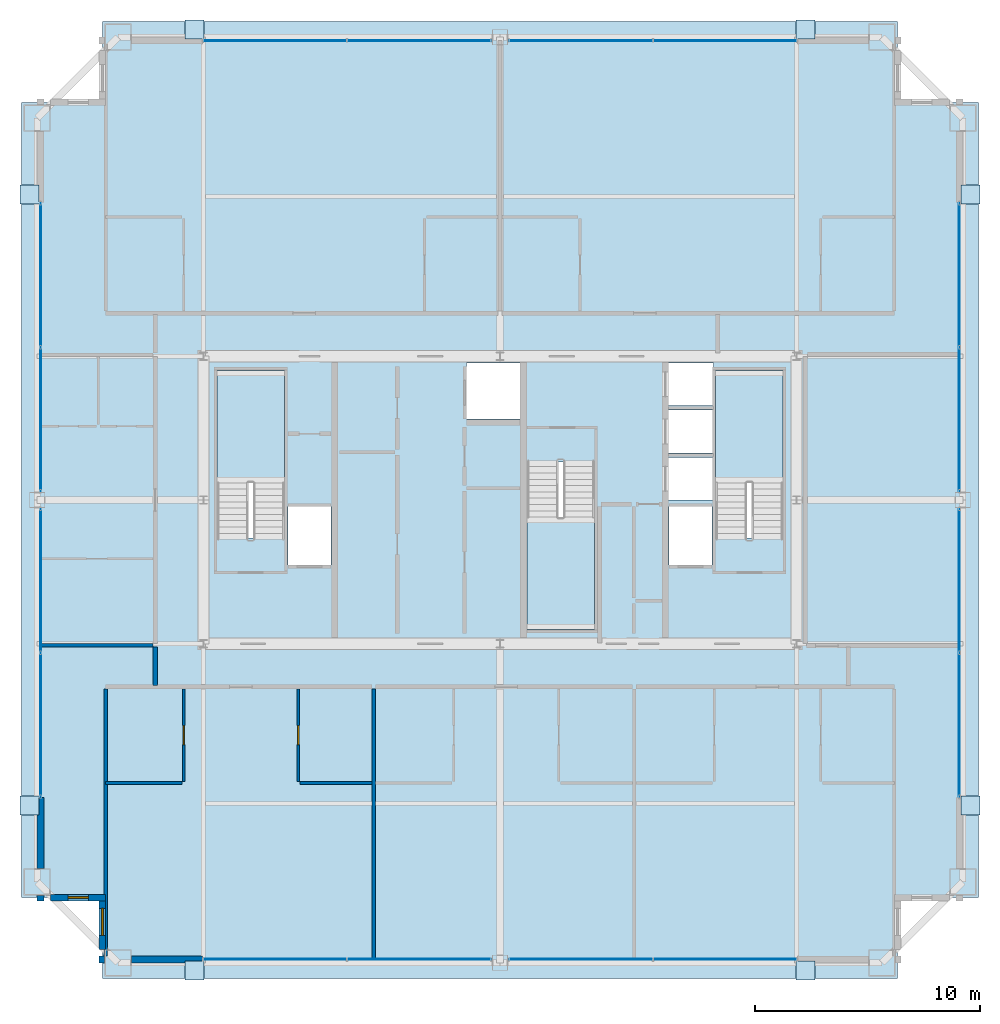
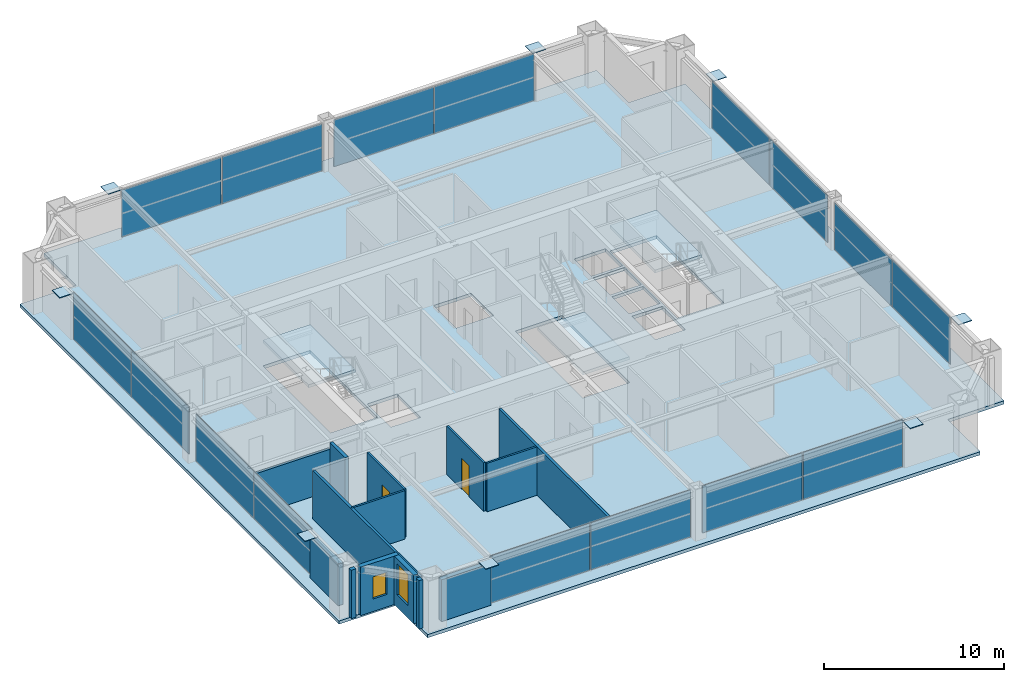
# One storey, part 32 of 37: 24 plates, 14 walls, 4 slabs, 2 doors, 2 windows, 4 openings, 11 elements without a shape of their own.
"""IFC4 building model written with IfcOpenShell, lengths in metres."""

import ifcopenshell
import ifcopenshell.guid

model = None  # the IFC model being written
_history = None  # IfcOwnerHistory: only IFC2X3 demands one
_inside = {}  # id of a spatial element -> (the spatial element, [elements in it])
_under = {}  # id of a project, library or spatial element -> (it, [spatial elements below it])
_declared = {}  # id of a project -> (the project, [libraries it declares])
_typed = {}  # id of a type object -> (the type object, [elements of that type])
_made_of = {}  # id of a material, layer set ... -> (it, [elements and type objects made of it])


def new_model(schema):
    """Start an empty IFC model of exactly this schema.

    Asked for "IFC4X3", IfcOpenShell would pick the latest addendum, in which some entities
    have other attributes; the version numbers below select the first issue.
    IFC2X3 requires an IfcOwnerHistory on every rooted entity: one is made here for all.
    """
    global model, _history
    if schema == "IFC4X3":
        model = ifcopenshell.file(schema_version=(4, 3, 0, 0))
    else:
        model = ifcopenshell.file(schema=schema)
    _inside.clear()
    _under.clear()
    _declared.clear()
    _typed.clear()
    _made_of.clear()
    _history = None
    if model.schema == "IFC2X3":
        org = make("IfcOrganization", Name="unknown")
        user = make(
            "IfcPersonAndOrganization",
            ThePerson=make("IfcPerson", FamilyName="unknown"),
            TheOrganization=org,
        )
        app = make(
            "IfcApplication",
            ApplicationDeveloper=org,
            Version="unknown",
            ApplicationFullName="unknown",
            ApplicationIdentifier="unknown",
        )
        _history = make(
            "IfcOwnerHistory",
            OwningUser=user,
            OwningApplication=app,
            ChangeAction="ADDED",
            CreationDate=0,
        )
    return model


def make(cls, **values):
    """One entity of the class cls with the attributes given. An attribute that is None is left unset."""
    return model.create_entity(
        cls, **{name: value for name, value in values.items() if value is not None}
    )


def rooted(cls, **values):
    """An entity with a GlobalId (a new one), such as an element, a storey or a relation."""
    return make(cls, GlobalId=ifcopenshell.guid.new(), OwnerHistory=_history, **values)


def si_unit(unit_type, name, prefix=None):
    """IfcSIUnit, for example si_unit("LENGTHUNIT", "METRE", prefix="MILLI")."""
    return make("IfcSIUnit", UnitType=unit_type, Prefix=prefix, Name=name)


def assignment(units):
    """IfcUnitAssignment: the units of a project."""
    return None if units is None else make("IfcUnitAssignment", Units=units)


def point(xyz):
    """IfcCartesianPoint."""
    return None if xyz is None else make("IfcCartesianPoint", Coordinates=xyz)


def direction(xyz):
    """IfcDirection."""
    return None if xyz is None else make("IfcDirection", DirectionRatios=xyz)


def frame(location, z_axis=None, x_axis=None):
    """IfcAxis2Placement3D, a coordinate frame: its origin and axes. An axis left out is left unset."""
    return make(
        "IfcAxis2Placement3D",
        Location=point(location),
        Axis=direction(z_axis),
        RefDirection=direction(x_axis),
    )


def frame_2d(location, x_axis=None):
    """IfcAxis2Placement2D, a coordinate frame in the plane: its origin and x axis."""
    return make(
        "IfcAxis2Placement2D", Location=point(location), RefDirection=direction(x_axis)
    )


def origin():
    """The frame at (0, 0, 0) with its axes left unset."""
    return frame((0.0, 0.0, 0.0))


def origin_2d():
    """The frame at (0, 0) in the plane with its x axis left unset."""
    return frame_2d((0.0, 0.0))


def place(relative_to, where):
    """IfcLocalPlacement: puts the frame where relative to a parent placement (None: the world)."""
    return make(
        "IfcLocalPlacement", PlacementRelTo=relative_to, RelativePlacement=where
    )


def context(
    kind, dimensions, precision=None, world=None, true_north=None, identifier=None
):
    """IfcGeometricRepresentationContext, for example the 3D "Model" context."""
    return make(
        "IfcGeometricRepresentationContext",
        ContextIdentifier=identifier,
        ContextType=kind,
        CoordinateSpaceDimension=dimensions,
        Precision=precision,
        WorldCoordinateSystem=world,
        TrueNorth=true_north,
    )


def subcontext(parent, identifier, kind, view, scale=None):
    """IfcGeometricRepresentationSubContext, for example "Body" below "Model"."""
    return make(
        "IfcGeometricRepresentationSubContext",
        ContextIdentifier=identifier,
        ContextType=kind,
        ParentContext=parent,
        TargetScale=scale,
        TargetView=view,
    )


def project(units=None, contexts=None):
    """IfcProject with its units and contexts."""
    return rooted(
        "IfcProject",
        Name="project",
        RepresentationContexts=contexts,
        UnitsInContext=assignment(units),
    )


def spatial(cls, under=None, at=None, **own):
    """A site, building, storey or space (cls), placed at a placement, below another one or the project."""
    s = rooted(cls, ObjectPlacement=at, **own)
    if under is not None:
        _under.setdefault(under.id(), (under, []))[1].append(s)
    return s


def polyline(points):
    """IfcPolyline through the points."""
    return make("IfcPolyline", Points=[point(p) for p in points])


def profile(cls, at=None, kind="AREA", **sizes):
    """A parametric profile (cls). Its sizes go by their IFC names, for example OverallWidth=200.0."""
    return make(cls, ProfileType=kind, Position=at, **sizes)


def rectangle(**sizes):
    """IfcRectangleProfileDef."""
    return profile("IfcRectangleProfileDef", **sizes)


def outline(outer, holes=None, kind="AREA"):
    """IfcArbitraryClosedProfileDef: a profile drawn as a closed curve; with holes, ...WithVoids."""
    if holes is None:
        return make("IfcArbitraryClosedProfileDef", ProfileType=kind, OuterCurve=outer)
    return make(
        "IfcArbitraryProfileDefWithVoids",
        ProfileType=kind,
        OuterCurve=outer,
        InnerCurves=holes,
    )


def extrude(swept, where, along, depth):
    """IfcExtrudedAreaSolid: the profile swept, set in the frame where, extruded along a direction by depth."""
    return make(
        "IfcExtrudedAreaSolid",
        SweptArea=swept,
        Position=where,
        ExtrudedDirection=direction(along),
        Depth=depth,
    )


def shape(context_of_items, identifier, shape_type, items):
    """IfcShapeRepresentation: the items that make up one representation, for example the "Body"."""
    return make(
        "IfcShapeRepresentation",
        ContextOfItems=context_of_items,
        RepresentationIdentifier=identifier,
        RepresentationType=shape_type,
        Items=items,
    )


def source(mapping_origin, context_of_items, identifier, shape_type, items):
    """IfcRepresentationMap: a shape defined once, which mapped items show again and again."""
    return make(
        "IfcRepresentationMap",
        MappingOrigin=mapping_origin,
        MappedRepresentation=shape(context_of_items, identifier, shape_type, items),
    )


def transform(
    local_origin,
    x_axis=None,
    y_axis=None,
    z_axis=None,
    scale=None,
    scale2=None,
    scale3=None,
    uniform=True,
):
    """IfcCartesianTransformationOperator3D, or its non-uniform kind. x_axis, y_axis, z_axis: its Axis1, 2, 3."""
    if uniform:
        return make(
            "IfcCartesianTransformationOperator3D",
            Axis1=direction(x_axis),
            Axis2=direction(y_axis),
            LocalOrigin=point(local_origin),
            Scale=scale,
            Axis3=direction(z_axis),
        )
    return make(
        "IfcCartesianTransformationOperator3DnonUniform",
        Axis1=direction(x_axis),
        Axis2=direction(y_axis),
        LocalOrigin=point(local_origin),
        Scale=scale,
        Axis3=direction(z_axis),
        Scale2=scale2,
        Scale3=scale3,
    )


def mapped(mapping_source, mapping_target):
    """IfcMappedItem: shows the shape of a source again, moved by a transform."""
    return make(
        "IfcMappedItem", MappingSource=mapping_source, MappingTarget=mapping_target
    )


def material(Name=None, Category=None):
    """IfcMaterial."""
    return make("IfcMaterial", Name=Name, Category=Category)


def layer(
    of_material, thickness, ventilated=None, Name=None, Category=None, Priority=None
):
    """IfcMaterialLayer: one layer of a wall or slab, of a material (None: an air gap)."""
    return make(
        "IfcMaterialLayer",
        Material=of_material,
        LayerThickness=thickness,
        IsVentilated=ventilated,
        Name=Name,
        Category=Category,
        Priority=Priority,
    )


def layer_set(layers, Name=None):
    """IfcMaterialLayerSet."""
    return make("IfcMaterialLayerSet", MaterialLayers=layers, LayerSetName=Name)


def made_of(thing, what):
    """Note that an element or type object is made of a material, layer set ...; save() writes the relation."""
    if what is not None:
        _made_of.setdefault(what.id(), (what, []))[1].append(thing)
    return thing


def type_object(cls, material=None, **own):
    """A type object (cls), such as IfcWallType, which elements share."""
    return made_of(rooted(cls, **own), material)


def element(
    cls,
    number,
    at=None,
    inside=None,
    cuts=None,
    type_object=None,
    material=None,
    context=None,
    identifier="Body",
    shape_type=None,
    held_by="IfcProductDefinitionShape",
    body=None,
    shapes=None,
    **own,
):
    """One element of the class cls, such as IfcWall. Its Tag is "e" and its number.

    at: its placement. inside: the storey or other place that contains it. cuts: it is an
    opening in that element (IfcRelVoidsElement). A single representation is given by context,
    identifier, shape_type and body (its items); several are given by shapes. held_by: the class
    of the entity that holds the representations. save() writes the other relations.
    """
    e = rooted(cls, Tag="e%d" % number, ObjectPlacement=at, **own)
    if body is not None:
        shapes = [shape(context, identifier, shape_type, body)]
    if shapes is not None:
        e.Representation = make(held_by, Representations=shapes)
    if inside is not None:
        _inside.setdefault(inside.id(), (inside, []))[1].append(e)
    if cuts is not None:
        rooted(
            "IfcRelVoidsElement", RelatingBuildingElement=cuts, RelatedOpeningElement=e
        )
    if type_object is not None:
        _typed.setdefault(type_object.id(), (type_object, []))[1].append(e)
    return made_of(e, material)


def fill(opening, filler):
    """IfcRelFillsElement: the door or window that sits in an opening."""
    return rooted(
        "IfcRelFillsElement",
        RelatingOpeningElement=opening,
        RelatedBuildingElement=filler,
    )


def aggregate(whole, parts):
    """IfcRelAggregates: a whole, such as a stair, and the parts it consists of."""
    return rooted("IfcRelAggregates", RelatingObject=whole, RelatedObjects=parts)


def save(model, path):
    """Write the relations noted so far, then the file.

    IfcRelAggregates (storeys below a building ...), IfcRelContainedInSpatialStructure (elements
    in a storey), IfcRelDefinesByType, IfcRelAssociatesMaterial and IfcRelDeclares: one each for
    every whole, place, type object, material and project.
    """
    for whole, parts in _under.values():
        aggregate(whole, parts)
    for where, things in _inside.values():
        rooted(
            "IfcRelContainedInSpatialStructure",
            RelatedElements=things,
            RelatingStructure=where,
        )
    for kind, things in _typed.values():
        rooted("IfcRelDefinesByType", RelatedObjects=things, RelatingType=kind)
    for what, things in _made_of.values():
        rooted("IfcRelAssociatesMaterial", RelatedObjects=things, RelatingMaterial=what)
    for by, libraries in _declared.values():
        rooted("IfcRelDeclares", RelatingContext=by, RelatedDefinitions=libraries)
    model.write(path)


model = new_model("IFC4")

# Units and contexts
model_context = context("Model", 3, precision=1e-05, world=origin(), true_north=direction((0.0, 1.0)))
body_context = subcontext(model_context, "Body", "Model", "MODEL_VIEW")
ifc_project = project(units=[si_unit("LENGTHUNIT", "METRE"), si_unit("AREAUNIT", "SQUARE_METRE"), si_unit("VOLUMEUNIT", "CUBIC_METRE"), si_unit("PLANEANGLEUNIT", "RADIAN"), si_unit("MASSUNIT", "GRAM", prefix="KILO"), si_unit("THERMODYNAMICTEMPERATUREUNIT", "KELVIN"), si_unit("POWERUNIT", "WATT")], contexts=[model_context])

# Site, building, storey
site_placement = place(None, origin())
site = spatial("IfcSite", under=ifc_project, at=site_placement, CompositionType="ELEMENT")
building_placement = place(site_placement, origin())
building = spatial("IfcBuilding", under=site, at=building_placement, Name="Yuzanri Waterfront Tower", CompositionType="ELEMENT")
storey_placement = place(building_placement, frame((0.0, 0.0, 275.10009765625)))
storey = spatial("IfcBuildingStorey", under=building, at=storey_placement, Name="L73", CompositionType="ELEMENT", Elevation=275.10009765625)

# Stair, slab
ifc_material_1 = material(Name="Concrete C40", Category="concrete")
stair_type = type_object("IfcStairType", Name="Concrete C40 Core Dogleg Exit Stair", PredefinedType="HALF_TURN_STAIR", material=ifc_material_1)
stair_1_placement = place(storey_placement, origin())
stair_1 = element("IfcStair", 1, at=stair_1_placement, inside=storey, type_object=stair_type, Name="L73 Smoke-Proof Core Stair ST-01", PredefinedType="HALF_TURN_STAIR")
ifc_material_2 = material(Name="Concrete C40", Category="concrete")
ifc_layer_1 = layer(ifc_material_2, 0.179931640625)
ifc_layer_set_1 = layer_set([ifc_layer_1], Name="Concrete C40")
slab_type_1 = type_object("IfcSlabType", Name="Concrete C40 Stair Half-Landing Slab 180", PredefinedType="LANDING", material=ifc_layer_set_1)
slab_1_placement = place(storey_placement, frame((0.0, 0.0, 1.5498046875)))
slab_1 = element("IfcSlab", 2, at=slab_1_placement, type_object=slab_type_1, Name="ST-01 landing 1", PredefinedType="LANDING", context=body_context, shape_type="SweptSolid", body=[
    extrude(outline(polyline([(27.39990234375, 26.56005859375), (27.39990234375, 31.580078125), (24.39990234375, 31.580078125), (24.39990234375, 26.56005859375), (27.39990234375, 26.56005859375)])), origin(), (0.0, 0.0, 1.0), 0.2001953125),
])
aggregate(stair_1, [slab_1])

stair_2_placement = place(storey_placement, origin())
stair_2 = element("IfcStair", 3, at=stair_2_placement, inside=storey, type_object=stair_type, Name="L73 Smoke-Proof Core Stair ST-02", PredefinedType="HALF_TURN_STAIR")
slab_2_placement = place(storey_placement, frame((0.0, 0.0, 1.5498046875)))
slab_2 = element("IfcSlab", 4, at=slab_2_placement, type_object=slab_type_1, Name="ST-02 landing 1", PredefinedType="LANDING", context=body_context, shape_type="SweptSolid", body=[
    extrude(outline(polyline([(49.60009765625, 26.56005859375), (49.60009765625, 31.580078125), (46.60009765625, 31.580078125), (46.60009765625, 26.56005859375), (49.60009765625, 26.56005859375)])), origin(), (0.0, 0.0, 1.0), 0.2001953125),
])
aggregate(stair_2, [slab_2])

stair_3_placement = place(storey_placement, origin())
stair_3 = element("IfcStair", 5, at=stair_3_placement, inside=storey, type_object=stair_type, Name="L73 Smoke-Proof Core Stair ST-03", PredefinedType="HALF_TURN_STAIR")
slab_3_placement = place(storey_placement, frame((0.0, 0.0, 1.5498046875)))
slab_3 = element("IfcSlab", 6, at=slab_3_placement, type_object=slab_type_1, Name="ST-03 landing 1", PredefinedType="LANDING", context=body_context, shape_type="SweptSolid", body=[
    extrude(outline(polyline([(38.199951171875, 25.0400390625), (38.199951171875, 20.02001953125), (41.199951171875, 20.02001953125), (41.199951171875, 25.0400390625), (38.199951171875, 25.0400390625)])), origin(), (0.0, 0.0, 1.0), 0.2001953125),
])
aggregate(stair_3, [slab_3])

# Slab
ifc_material_3 = material(Name="Concrete C40", Category="concrete")
ifc_layer_2 = layer(ifc_material_3, 0.219970703125)
ifc_layer_set_2 = layer_set([ifc_layer_2], Name="Concrete C40")
slab_type_2 = type_object("IfcSlabType", Name="Concrete C40 Tower Typical Structural Floor Slab 220", PredefinedType="FLOOR", material=ifc_layer_set_2)
slab_4_placement = place(storey_placement, frame((0.0, 0.0, -0.22021484375)))
element("IfcSlab", 7, at=slab_4_placement, inside=storey, type_object=slab_type_2, Name="L73 Main Structural Floor Slab", PredefinedType="FLOOR", context=body_context, shape_type="SweptSolid", body=[
    extrude(outline(polyline([(19.300048828125, 4.5), (54.699951171875, 4.5), (54.699951171875, 8.10009765625), (58.300048828125, 8.10009765625), (58.300048828125, 43.5), (54.699951171875, 43.5), (54.699951171875, 47.10009765625), (19.300048828125, 47.10009765625), (19.300048828125, 43.5), (15.699951171875, 43.5), (15.699951171875, 8.10009765625), (19.300048828125, 8.10009765625), (19.300048828125, 4.5)]), holes=[polyline([(27.39990234375, 24.10009765625), (27.39990234375, 31.580078125), (24.39990234375, 31.580078125), (24.39990234375, 24.10009765625), (27.39990234375, 24.10009765625)]), polyline([(49.60009765625, 24.10009765625), (49.60009765625, 31.580078125), (46.60009765625, 31.580078125), (46.60009765625, 24.10009765625), (49.60009765625, 24.10009765625)]), polyline([(38.199951171875, 27.5), (38.199951171875, 20.02001953125), (41.199951171875, 20.02001953125), (41.199951171875, 27.5), (38.199951171875, 27.5)]), polyline([(27.56005859375, 22.89990234375), (29.47998046875, 22.89990234375), (29.47998046875, 25.5), (27.56005859375, 25.5), (27.56005859375, 22.89990234375)]), polyline([(44.52001953125, 22.89990234375), (46.43994140625, 22.89990234375), (46.43994140625, 25.5), (44.52001953125, 25.5), (44.52001953125, 22.89990234375)]), polyline([(35.5, 29.39990234375), (37.89990234375, 29.39990234375), (37.89990234375, 31.89990234375), (35.5, 31.89990234375), (35.5, 29.39990234375)]), polyline([(44.5, 25.800048828125), (46.5, 25.800048828125), (46.5, 27.699951171875), (44.5, 27.699951171875), (44.5, 25.800048828125)]), polyline([(44.5, 27.89990234375), (46.5, 27.89990234375), (46.5, 29.800048828125), (44.5, 29.800048828125), (44.5, 27.89990234375)]), polyline([(44.5, 30.0), (46.5, 30.0), (46.5, 31.89990234375), (44.5, 31.89990234375), (44.5, 30.0)])]), origin(), (0.0, 0.0, 1.0), 0.22021484375),
])

# Plates
ifc_material_4 = material(Name="Steel Q420GJC", Category="steel")
ifc_layer_3 = layer(ifc_material_4, 0.0400390625)
ifc_layer_set_3 = layer_set([ifc_layer_3], Name="Steel Q420GJC")
plate_type_1 = type_object("IfcPlateType", Name="Steel Q420GJC Mega-Brace Gusset and End-Cap Plate 40", PredefinedType="SHEET", material=ifc_layer_set_3)
shared_shape_1 = source(origin(), body_context, "Body", "SweptSolid", [
    extrude(rectangle(XDim=0.85009765625, YDim=0.85009765625, at=origin_2d()), origin(), (0.0, 0.0, 1.0), 0.0400390625),
])
for number, where, z_axis, x_axis, name in (
    (8, (23.39990234375, 4.860107421875, 3.159912109375), (0.0, 0.0, 1.0), (1.0, 0.0, 0.0), "L73 Mega-Brace Apex Cap Plate S-L"),
    (9, (50.60009765625, 4.860107421875, 3.159912109375), (0.0, 0.0, 1.0), (1.0, 0.0, 0.0), "L73 Mega-Brace Apex Cap Plate S-R"),
    (10, (23.39990234375, 46.739990234375, 3.159912109375), (0.0, 0.0, 1.0), (1.0, 0.0, 0.0), "L73 Mega-Brace Apex Cap Plate N-L"),
    (11, (50.60009765625, 46.739990234375, 3.159912109375), (0.0, 0.0, 1.0), (1.0, 0.0, 0.0), "L73 Mega-Brace Apex Cap Plate N-R"),
    (12, (16.06005859375, 12.199951171875, 3.159912109375), (0.0, 0.0, 1.0), (1.0, 0.0, 0.0), "L73 Mega-Brace Apex Cap Plate W-L"),
    (13, (16.06005859375, 39.39990234375, 3.159912109375), (0.0, 0.0, 1.0), (1.0, 0.0, 0.0), "L73 Mega-Brace Apex Cap Plate W-R"),
    (14, (57.93994140625, 12.199951171875, 3.159912109375), (0.0, 0.0, 1.0), (1.0, 0.0, 0.0), "L73 Mega-Brace Apex Cap Plate E-L"),
    (15, (57.93994140625, 39.39990234375, 3.159912109375), (0.0, 0.0, 1.0), (1.0, 0.0, 0.0), "L73 Mega-Brace Apex Cap Plate E-R"),
):
    element("IfcPlate", number, at=place(storey_placement, frame(where, z_axis=z_axis, x_axis=x_axis)), inside=storey, type_object=plate_type_1, Name=name, PredefinedType="SHEET", context=body_context, shape_type="MappedRepresentation", body=[
        mapped(shared_shape_1, transform((0.0, 0.0, 0.0), scale=1.0)),
    ])

# Curtain wall, plates
ifc_material_5 = material(Name="Anodized Architectural Bronze", Category="metal")
ifc_layer_4 = layer(ifc_material_5, 0.159912109375)
ifc_layer_set_4 = layer_set([ifc_layer_4], Name="Anodized Architectural Bronze")
curtain_wall_type = type_object("IfcCurtainWallType", Name="Anodized Bronze Mid-Rise Residential Acoustic Unitized Curtain Wall 7200", PredefinedType="NOTDEFINED", material=ifc_layer_set_4)
curtain_wall_1_placement = place(storey_placement, origin())
curtain_wall_1 = element("IfcCurtainWall", 16, at=curtain_wall_1_placement, inside=storey, type_object=curtain_wall_type, Name="L73 Curtain Wall CW-L73-SL", PredefinedType="NOTDEFINED")
ifc_material_6 = material(Name="Triple Low-E Laminated Insulated Glass", Category="glass")
ifc_layer_5 = layer(ifc_material_6, 0.0439453125)
ifc_layer_set_5 = layer_set([ifc_layer_5], Name="Triple Low-E Laminated Insulated Glass")
plate_type_2 = type_object("IfcPlateType", Name="Triple Glazed Acoustic Vision Glass Panel 44", PredefinedType="CURTAIN_PANEL", material=ifc_layer_set_5)
shared_shape_2 = source(origin(), body_context, "Body", "SweptSolid", [
    extrude(rectangle(XDim=6.3701171875, YDim=0.0439453125, at=origin_2d()), origin(), (0.0, 0.0, 1.0), 3.179931640625),
])
plate_1_placement = place(storey_placement, frame((26.97509765625, 5.35009765625, 0.0498046875), z_axis=(0.0, 0.0, 1.0), x_axis=(1.0, 0.0, 0.0)))
plate_1 = element("IfcPlate", 17, at=plate_1_placement, type_object=plate_type_2, Name="CW-L73-SL Vision Glass Panel 01", PredefinedType="CURTAIN_PANEL", context=body_context, shape_type="MappedRepresentation", body=[
    mapped(shared_shape_2, transform((0.0, 0.0, 0.0), scale=1.0)),
])
plate_2_placement = place(storey_placement, frame((33.425048828125, 5.35009765625, 0.0498046875), z_axis=(0.0, 0.0, 1.0), x_axis=(1.0, 0.0, 0.0)))
plate_2 = element("IfcPlate", 18, at=plate_2_placement, type_object=plate_type_2, Name="CW-L73-SL Vision Glass Panel 02", PredefinedType="CURTAIN_PANEL", context=body_context, shape_type="MappedRepresentation", body=[
    mapped(shared_shape_2, transform((0.0, 0.0, 0.0), scale=1.0)),
])
aggregate(curtain_wall_1, [plate_1, plate_2])

curtain_wall_2_placement = place(storey_placement, origin())
curtain_wall_2 = element("IfcCurtainWall", 19, at=curtain_wall_2_placement, inside=storey, type_object=curtain_wall_type, Name="L73 Curtain Wall CW-L73-SR", PredefinedType="NOTDEFINED")
plate_3_placement = place(storey_placement, frame((40.574951171875, 5.35009765625, 0.0498046875), z_axis=(0.0, 0.0, 1.0), x_axis=(1.0, 0.0, 0.0)))
plate_3 = element("IfcPlate", 20, at=plate_3_placement, type_object=plate_type_2, Name="CW-L73-SR Vision Glass Panel 01", PredefinedType="CURTAIN_PANEL", context=body_context, shape_type="MappedRepresentation", body=[
    mapped(shared_shape_2, transform((0.0, 0.0, 0.0), scale=1.0)),
])
plate_4_placement = place(storey_placement, frame((47.02490234375, 5.35009765625, 0.0498046875), z_axis=(0.0, 0.0, 1.0), x_axis=(1.0, 0.0, 0.0)))
plate_4 = element("IfcPlate", 21, at=plate_4_placement, type_object=plate_type_2, Name="CW-L73-SR Vision Glass Panel 02", PredefinedType="CURTAIN_PANEL", context=body_context, shape_type="MappedRepresentation", body=[
    mapped(shared_shape_2, transform((0.0, 0.0, 0.0), scale=1.0)),
])
aggregate(curtain_wall_2, [plate_3, plate_4])

curtain_wall_3_placement = place(storey_placement, origin())
curtain_wall_3 = element("IfcCurtainWall", 22, at=curtain_wall_3_placement, inside=storey, type_object=curtain_wall_type, Name="L73 Curtain Wall CW-L73-NL", PredefinedType="NOTDEFINED")
plate_5_placement = place(storey_placement, frame((26.97509765625, 46.25, 0.0498046875), z_axis=(0.0, 0.0, 1.0), x_axis=(1.0, 0.0, 0.0)))
plate_5 = element("IfcPlate", 23, at=plate_5_placement, type_object=plate_type_2, Name="CW-L73-NL Vision Glass Panel 01", PredefinedType="CURTAIN_PANEL", context=body_context, shape_type="MappedRepresentation", body=[
    mapped(shared_shape_2, transform((0.0, 0.0, 0.0), scale=1.0)),
])
plate_6_placement = place(storey_placement, frame((33.425048828125, 46.25, 0.0498046875), z_axis=(0.0, 0.0, 1.0), x_axis=(1.0, 0.0, 0.0)))
plate_6 = element("IfcPlate", 24, at=plate_6_placement, type_object=plate_type_2, Name="CW-L73-NL Vision Glass Panel 02", PredefinedType="CURTAIN_PANEL", context=body_context, shape_type="MappedRepresentation", body=[
    mapped(shared_shape_2, transform((0.0, 0.0, 0.0), scale=1.0)),
])
aggregate(curtain_wall_3, [plate_5, plate_6])

curtain_wall_4_placement = place(storey_placement, origin())
curtain_wall_4 = element("IfcCurtainWall", 25, at=curtain_wall_4_placement, inside=storey, type_object=curtain_wall_type, Name="L73 Curtain Wall CW-L73-NR", PredefinedType="NOTDEFINED")
plate_7_placement = place(storey_placement, frame((40.574951171875, 46.25, 0.0498046875), z_axis=(0.0, 0.0, 1.0), x_axis=(1.0, 0.0, 0.0)))
plate_7 = element("IfcPlate", 26, at=plate_7_placement, type_object=plate_type_2, Name="CW-L73-NR Vision Glass Panel 01", PredefinedType="CURTAIN_PANEL", context=body_context, shape_type="MappedRepresentation", body=[
    mapped(shared_shape_2, transform((0.0, 0.0, 0.0), scale=1.0)),
])
plate_8_placement = place(storey_placement, frame((47.02490234375, 46.25, 0.0498046875), z_axis=(0.0, 0.0, 1.0), x_axis=(1.0, 0.0, 0.0)))
plate_8 = element("IfcPlate", 27, at=plate_8_placement, type_object=plate_type_2, Name="CW-L73-NR Vision Glass Panel 02", PredefinedType="CURTAIN_PANEL", context=body_context, shape_type="MappedRepresentation", body=[
    mapped(shared_shape_2, transform((0.0, 0.0, 0.0), scale=1.0)),
])
aggregate(curtain_wall_4, [plate_7, plate_8])

curtain_wall_5_placement = place(storey_placement, origin())
curtain_wall_5 = element("IfcCurtainWall", 28, at=curtain_wall_5_placement, inside=storey, type_object=curtain_wall_type, Name="L73 Curtain Wall CW-L73-WL", PredefinedType="NOTDEFINED")
plate_9_placement = place(storey_placement, frame((16.550048828125, 15.77490234375, 0.0498046875), z_axis=(0.0, 0.0, 1.0), x_axis=(0.0, 1.0, 0.0)))
plate_9 = element("IfcPlate", 29, at=plate_9_placement, type_object=plate_type_2, Name="CW-L73-WL Vision Glass Panel 01", PredefinedType="CURTAIN_PANEL", context=body_context, shape_type="MappedRepresentation", body=[
    mapped(shared_shape_2, transform((0.0, 0.0, 0.0), scale=1.0)),
])
plate_10_placement = place(storey_placement, frame((16.550048828125, 22.22509765625, 0.0498046875), z_axis=(0.0, 0.0, 1.0), x_axis=(0.0, 1.0, 0.0)))
plate_10 = element("IfcPlate", 30, at=plate_10_placement, type_object=plate_type_2, Name="CW-L73-WL Vision Glass Panel 02", PredefinedType="CURTAIN_PANEL", context=body_context, shape_type="MappedRepresentation", body=[
    mapped(shared_shape_2, transform((0.0, 0.0, 0.0), scale=1.0)),
])
aggregate(curtain_wall_5, [plate_9, plate_10])

curtain_wall_6_placement = place(storey_placement, origin())
curtain_wall_6 = element("IfcCurtainWall", 31, at=curtain_wall_6_placement, inside=storey, type_object=curtain_wall_type, Name="L73 Curtain Wall CW-L73-WR", PredefinedType="NOTDEFINED")
plate_11_placement = place(storey_placement, frame((16.550048828125, 29.375, 0.0498046875), z_axis=(0.0, 0.0, 1.0), x_axis=(0.0, 1.0, 0.0)))
plate_11 = element("IfcPlate", 32, at=plate_11_placement, type_object=plate_type_2, Name="CW-L73-WR Vision Glass Panel 01", PredefinedType="CURTAIN_PANEL", context=body_context, shape_type="MappedRepresentation", body=[
    mapped(shared_shape_2, transform((0.0, 0.0, 0.0), scale=1.0)),
])
plate_12_placement = place(storey_placement, frame((16.550048828125, 35.824951171875, 0.0498046875), z_axis=(0.0, 0.0, 1.0), x_axis=(0.0, 1.0, 0.0)))
plate_12 = element("IfcPlate", 33, at=plate_12_placement, type_object=plate_type_2, Name="CW-L73-WR Vision Glass Panel 02", PredefinedType="CURTAIN_PANEL", context=body_context, shape_type="MappedRepresentation", body=[
    mapped(shared_shape_2, transform((0.0, 0.0, 0.0), scale=1.0)),
])
aggregate(curtain_wall_6, [plate_11, plate_12])

curtain_wall_7_placement = place(storey_placement, origin())
curtain_wall_7 = element("IfcCurtainWall", 34, at=curtain_wall_7_placement, inside=storey, type_object=curtain_wall_type, Name="L73 Curtain Wall CW-L73-EL", PredefinedType="NOTDEFINED")
plate_13_placement = place(storey_placement, frame((57.449951171875, 15.77490234375, 0.0498046875), z_axis=(0.0, 0.0, 1.0), x_axis=(0.0, 1.0, 0.0)))
plate_13 = element("IfcPlate", 35, at=plate_13_placement, type_object=plate_type_2, Name="CW-L73-EL Vision Glass Panel 01", PredefinedType="CURTAIN_PANEL", context=body_context, shape_type="MappedRepresentation", body=[
    mapped(shared_shape_2, transform((0.0, 0.0, 0.0), scale=1.0)),
])
plate_14_placement = place(storey_placement, frame((57.449951171875, 22.22509765625, 0.0498046875), z_axis=(0.0, 0.0, 1.0), x_axis=(0.0, 1.0, 0.0)))
plate_14 = element("IfcPlate", 36, at=plate_14_placement, type_object=plate_type_2, Name="CW-L73-EL Vision Glass Panel 02", PredefinedType="CURTAIN_PANEL", context=body_context, shape_type="MappedRepresentation", body=[
    mapped(shared_shape_2, transform((0.0, 0.0, 0.0), scale=1.0)),
])
aggregate(curtain_wall_7, [plate_13, plate_14])

curtain_wall_8_placement = place(storey_placement, origin())
curtain_wall_8 = element("IfcCurtainWall", 37, at=curtain_wall_8_placement, inside=storey, type_object=curtain_wall_type, Name="L73 Curtain Wall CW-L73-ER", PredefinedType="NOTDEFINED")
plate_15_placement = place(storey_placement, frame((57.449951171875, 29.375, 0.0498046875), z_axis=(0.0, 0.0, 1.0), x_axis=(0.0, 1.0, 0.0)))
plate_15 = element("IfcPlate", 38, at=plate_15_placement, type_object=plate_type_2, Name="CW-L73-ER Vision Glass Panel 01", PredefinedType="CURTAIN_PANEL", context=body_context, shape_type="MappedRepresentation", body=[
    mapped(shared_shape_2, transform((0.0, 0.0, 0.0), scale=1.0)),
])
plate_16_placement = place(storey_placement, frame((57.449951171875, 35.824951171875, 0.0498046875), z_axis=(0.0, 0.0, 1.0), x_axis=(0.0, 1.0, 0.0)))
plate_16 = element("IfcPlate", 39, at=plate_16_placement, type_object=plate_type_2, Name="CW-L73-ER Vision Glass Panel 02", PredefinedType="CURTAIN_PANEL", context=body_context, shape_type="MappedRepresentation", body=[
    mapped(shared_shape_2, transform((0.0, 0.0, 0.0), scale=1.0)),
])
aggregate(curtain_wall_8, [plate_15, plate_16])

# Wall, opening, door
ifc_material_7 = material(Name="Moisture-Resistant Gypsum Stud Wall", Category="gypsum")
ifc_layer_6 = layer(ifc_material_7, 0.1201171875)
ifc_layer_set_6 = layer_set([ifc_layer_6], Name="Moisture-Resistant Gypsum Stud Wall")
wall_type_1 = type_object("IfcWallType", Name="Bathroom and Kitchen Wet Partition 120", PredefinedType="PARTITIONING", material=ifc_layer_set_6)
wall_1_placement = place(storey_placement, frame((22.919921875, 13.280029296875, 0.0), z_axis=(0.0, 0.0, 1.0), x_axis=(0.0, 1.0, 0.0)))
wall_1 = element("IfcWall", 40, at=wall_1_placement, inside=storey, type_object=wall_type_1, Name="L73 Partition UW-L73-HS1-SUB-1-E", PredefinedType="PARTITIONING", context=body_context, shape_type="SweptSolid", body=[
    extrude(rectangle(XDim=4.10986328125, YDim=0.1201171875, at=frame_2d((2.054931640625, 0.0))), origin(), (0.0, 0.0, 1.0), 3.27978515625),
])
opening_1_placement = place(wall_1_placement, frame((1.6298828125, 0.0, 0.0)))
opening_1 = element("IfcOpeningElement", 41, at=opening_1_placement, cuts=wall_1, Name="Opening ID-0850", PredefinedType="OPENING", context=body_context, shape_type="SweptSolid", body=[
    extrude(rectangle(XDim=0.85009765625, YDim=2.10009765625, at=frame_2d((0.425048828125, 1.050048828125))), frame((0.0, 0.074951171875, 0.0), z_axis=(0.0, -1.0, 0.0), x_axis=(1.0, 0.0, 0.0)), (0.0, 0.0, 1.0), 0.14990234375),
])
ifc_material_8 = material(Name="Moisture-Resistant Lacquered Timber", Category="wood")
door_type = type_object("IfcDoorType", Name="En-Suite Bathroom and Kitchen Swing Door 850x2100", OperationType="NOTDEFINED", PredefinedType="DOOR", material=ifc_material_8)
shared_shape_3 = source(origin(), body_context, "Body", "SweptSolid", [
    extrude(rectangle(XDim=0.85009765625, YDim=2.10009765625, at=frame_2d((0.425048828125, 1.050048828125))), frame((0.0, 0.02490234375, 0.0), z_axis=(0.0, -1.0, 0.0), x_axis=(1.0, 0.0, 0.0)), (0.0, 0.0, 1.0), 0.050048828125),
])
door_1_placement = place(opening_1_placement, origin())
door_1 = element("IfcDoor", 42, at=door_1_placement, inside=storey, type_object=door_type, Name="L73 Suite Interior Room Door", OperationType="SINGLE_SWING_RIGHT", OverallHeight=2.10009765625, OverallWidth=0.85009765625, PredefinedType="DOOR", context=body_context, shape_type="MappedRepresentation", body=[
    mapped(shared_shape_3, transform((0.0, 0.0, 0.0), scale=1.0)),
])
fill(opening_1, door_1)

wall_2_placement = place(storey_placement, frame((28.02099609375, 13.280029296875, 0.0), z_axis=(0.0, 0.0, 1.0), x_axis=(0.0, 1.0, 0.0)))
wall_2 = element("IfcWall", 43, at=wall_2_placement, inside=storey, type_object=wall_type_1, Name="L73 Partition UW-L73-HS1-SUB-2-W", PredefinedType="PARTITIONING", context=body_context, shape_type="SweptSolid", body=[
    extrude(rectangle(XDim=4.10986328125, YDim=0.1201171875, at=frame_2d((2.054931640625, 0.0))), origin(), (0.0, 0.0, 1.0), 3.27978515625),
])
opening_2_placement = place(wall_2_placement, frame((1.6298828125, 0.0, 0.0)))
opening_2 = element("IfcOpeningElement", 44, at=opening_2_placement, cuts=wall_2, Name="Opening ID-0850", PredefinedType="OPENING", context=body_context, shape_type="SweptSolid", body=[
    extrude(rectangle(XDim=0.85009765625, YDim=2.10009765625, at=frame_2d((0.425048828125, 1.050048828125))), frame((0.0, 0.074951171875, 0.0), z_axis=(0.0, -1.0, 0.0), x_axis=(1.0, 0.0, 0.0)), (0.0, 0.0, 1.0), 0.14990234375),
])
door_2_placement = place(opening_2_placement, origin())
door_2 = element("IfcDoor", 45, at=door_2_placement, inside=storey, type_object=door_type, Name="L73 Suite Interior Room Door", OperationType="SINGLE_SWING_LEFT", OverallHeight=2.10009765625, OverallWidth=0.85009765625, PredefinedType="DOOR", context=body_context, shape_type="MappedRepresentation", body=[
    mapped(shared_shape_3, transform((0.0, 0.0, 0.0), scale=1.0)),
])
fill(opening_2, door_2)

# Wall, opening, window
ifc_material_9 = material(Name="Honed Chongqing Dark Basalt Stone", Category="masonry")
ifc_layer_7 = layer(ifc_material_9, 0.300048828125)
ifc_layer_set_7 = layer_set([ifc_layer_7], Name="Honed Chongqing Dark Basalt Stone")
wall_type_2 = type_object("IfcWallType", Name="Bronze Rainscreen Insulated Spandrel Portal Wall 300", PredefinedType="SOLIDWALL", material=ifc_layer_set_7)
wall_3_placement = place(storey_placement, frame((17.0, 8.10009765625, 0.0), z_axis=(0.0, 0.0, 1.0), x_axis=(1.0, 0.0, 0.0)))
wall_3 = element("IfcWall", 46, at=wall_3_placement, inside=storey, type_object=wall_type_2, Name="L73 Notched Corner Masonry Wall SW-X", PredefinedType="SOLIDWALL", context=body_context, shape_type="SweptSolid", body=[
    extrude(rectangle(XDim=2.449951171875, YDim=0.300048828125, at=frame_2d((1.22509765625, 0.0))), origin(), (0.0, 0.0, 1.0), 3.27978515625),
])
opening_3_placement = place(wall_3_placement, frame((0.77490234375, 0.0, 0.85009765625)))
opening_3 = element("IfcOpeningElement", 47, at=opening_3_placement, cuts=wall_3, Name="Opening WN-05", PredefinedType="OPENING", context=body_context, shape_type="SweptSolid", body=[
    extrude(rectangle(XDim=0.89990234375, YDim=1.5, at=frame_2d((0.449951171875, 0.75))), frame((0.0, 0.1650390625, 0.0), z_axis=(0.0, -1.0, 0.0), x_axis=(1.0, 0.0, 0.0)), (0.0, 0.0, 1.0), 0.329833984375),
])
ifc_material_10 = material(Name="Double-Silver Low-E Insulated Glass", Category="glass")
window_type_1 = type_object("IfcWindowType", Name="Anodized Bronze Service and Stairwell Smoke-Vent Window 900x1500", PartitioningType="SINGLE_PANEL", PredefinedType="WINDOW", material=ifc_material_10)
shared_shape_4 = source(origin(), body_context, "Body", "SweptSolid", [
    extrude(rectangle(XDim=0.89990234375, YDim=1.5, at=frame_2d((0.449951171875, 0.75))), frame((0.0, 0.030029296875, 0.0), z_axis=(0.0, -1.0, 0.0), x_axis=(1.0, 0.0, 0.0)), (0.0, 0.0, 1.0), 0.06005859375),
])
window_1_placement = place(opening_3_placement, origin())
window_1 = element("IfcWindow", 48, at=window_1_placement, inside=storey, type_object=window_type_1, Name="L73 Notched Corner Window SW-X", OverallHeight=1.5, OverallWidth=0.89990234375, PartitioningType="SINGLE_PANEL", PredefinedType="WINDOW", context=body_context, shape_type="MappedRepresentation", body=[
    mapped(shared_shape_4, transform((0.0, 0.0, 0.0), scale=1.0)),
])
fill(opening_3, window_1)

wall_4_placement = place(storey_placement, frame((19.300048828125, 8.25, 0.0), z_axis=(0.0, 0.0, 1.0), x_axis=(0.0, -1.0, 0.0)))
wall_4 = element("IfcWall", 49, at=wall_4_placement, inside=storey, type_object=wall_type_2, Name="L73 Notched Corner Masonry Wall SW-Y", PredefinedType="SOLIDWALL", context=body_context, shape_type="SweptSolid", body=[
    extrude(rectangle(XDim=2.449951171875, YDim=0.300048828125, at=frame_2d((1.22509765625, 0.0))), origin(), (0.0, 0.0, 1.0), 3.27978515625),
])
opening_4_placement = place(wall_4_placement, frame((0.625, 0.0, 0.85009765625)))
opening_4 = element("IfcOpeningElement", 50, at=opening_4_placement, cuts=wall_4, Name="Opening WN-02", PredefinedType="OPENING", context=body_context, shape_type="SweptSolid", body=[
    extrude(rectangle(XDim=1.199951171875, YDim=2.10009765625, at=frame_2d((0.60009765625, 1.050048828125))), frame((0.0, 0.1650390625, 0.0), z_axis=(0.0, -1.0, 0.0), x_axis=(1.0, 0.0, 0.0)), (0.0, 0.0, 1.0), 0.329833984375),
])
ifc_material_11 = material(Name="Double-Silver Low-E Insulated Glass", Category="glass")
window_type_2 = type_object("IfcWindowType", Name="Anodized Bronze Notched Corner Deep-Set Slot Window 1200x2100", PartitioningType="SINGLE_PANEL", PredefinedType="WINDOW", material=ifc_material_11)
shared_shape_5 = source(origin(), body_context, "Body", "SweptSolid", [
    extrude(rectangle(XDim=1.199951171875, YDim=2.10009765625, at=frame_2d((0.60009765625, 1.050048828125))), frame((0.0, 0.030029296875, 0.0), z_axis=(0.0, -1.0, 0.0), x_axis=(1.0, 0.0, 0.0)), (0.0, 0.0, 1.0), 0.06005859375),
])
window_2_placement = place(opening_4_placement, origin())
window_2 = element("IfcWindow", 51, at=window_2_placement, inside=storey, type_object=window_type_2, Name="L73 Notched Corner Window SW-Y", OverallHeight=2.10009765625, OverallWidth=1.199951171875, PartitioningType="SINGLE_PANEL", PredefinedType="WINDOW", context=body_context, shape_type="MappedRepresentation", body=[
    mapped(shared_shape_5, transform((0.0, 0.0, 0.0), scale=1.0)),
])
fill(opening_4, window_2)

# Walls
shared_shape_6 = source(origin(), body_context, "Body", "SweptSolid", [
    extrude(rectangle(XDim=0.25, YDim=0.300048828125, at=frame_2d((0.125, 0.0))), origin(), (0.0, 0.0, 1.0), 3.27978515625),
])
for number, where, z_axis, x_axis, name in (
    (52, (19.14990234375, 5.35009765625, 0.0), (0.0, 0.0, 1.0), (1.0, 0.0, 0.0), "L73 Corner Column Shoulder Return CSW"),
    (53, (16.550048828125, 7.949951171875, 0.0), (0.0, 0.0, 1.0), (0.0, 1.0, 0.0), "L73 Corner Column Shoulder Return CWS"),
):
    element("IfcWall", number, at=place(storey_placement, frame(where, z_axis=z_axis, x_axis=x_axis)), inside=storey, type_object=wall_type_2, Name=name, PredefinedType="SOLIDWALL", context=body_context, shape_type="MappedRepresentation", body=[
        mapped(shared_shape_6, transform((0.0, 0.0, 0.0), scale=1.0)),
    ])
shared_shape_7 = source(origin(), body_context, "Body", "SweptSolid", [
    extrude(rectangle(XDim=3.14990234375, YDim=0.300048828125, at=frame_2d((1.574951171875, 0.0))), origin(), (0.0, 0.0, 1.0), 2.8349609375),
])
wall_5_placement = place(storey_placement, frame((20.60009765625, 5.35009765625, 0.0), z_axis=(0.0, 0.0, 1.0), x_axis=(1.0, 0.0, 0.0)))
element("IfcWall", 54, at=wall_5_placement, inside=storey, type_object=wall_type_2, Name="L73 S Left Braced Masonry Shoulder", PredefinedType="SOLIDWALL", context=body_context, shape_type="MappedRepresentation", body=[
    mapped(shared_shape_7, transform((0.0, 0.0, 0.0), scale=1.0)),
])
shared_shape_8 = source(origin(), body_context, "Body", "SweptSolid", [
    extrude(rectangle(XDim=3.150146484375, YDim=0.300048828125, at=frame_2d((1.5751953125, 0.0))), origin(), (0.0, 0.0, 1.0), 2.8349609375),
])
wall_6_placement = place(storey_placement, frame((16.550048828125, 9.39990234375, 0.0), z_axis=(0.0, 0.0, 1.0), x_axis=(0.0, 1.0, 0.0)))
element("IfcWall", 55, at=wall_6_placement, inside=storey, type_object=wall_type_2, Name="L73 W Left Braced Masonry Shoulder", PredefinedType="SOLIDWALL", context=body_context, shape_type="MappedRepresentation", body=[
    mapped(shared_shape_8, transform((0.0, 0.0, 0.0), scale=1.0)),
])
ifc_material_12 = material(Name="Gypsum Fireboard Acoustic Stud Wall", Category="gypsum")
ifc_layer_8 = layer(ifc_material_12, 0.159912109375)
ifc_layer_set_8 = layer_set([ifc_layer_8], Name="Gypsum Fireboard Acoustic Stud Wall")
wall_type_3 = type_object("IfcWallType", Name="Acoustic Suite Demising Partition 160", PredefinedType="PARTITIONING", material=ifc_layer_set_8)
shared_shape_9 = source(origin(), body_context, "Body", "SweptSolid", [
    extrude(rectangle(XDim=12.039794921875, YDim=0.159912109375, at=frame_2d((6.02001953125, 0.0))), origin(), (0.0, 0.0, 1.0), 3.27978515625),
])
wall_7_placement = place(storey_placement, frame((31.381103515625, 5.35009765625, 0.0), z_axis=(0.0, 0.0, 1.0), x_axis=(0.0, 1.0, 0.0)))
element("IfcWall", 56, at=wall_7_placement, inside=storey, type_object=wall_type_3, Name="L73-HS1 Party Wall", PredefinedType="PARTITIONING", context=body_context, shape_type="MappedRepresentation", body=[
    mapped(shared_shape_9, transform((0.0, 0.0, 0.0), scale=1.0)),
])
shared_shape_10 = source(origin(), body_context, "Body", "SweptSolid", [
    extrude(rectangle(XDim=3.400146484375, YDim=0.1201171875, at=frame_2d((1.7001953125, 0.0))), origin(), (0.0, 0.0, 1.0), 3.27978515625),
])
wall_8_placement = place(storey_placement, frame((19.43994140625, 13.199951171875, 0.0), z_axis=(0.0, 0.0, 1.0), x_axis=(1.0, 0.0, 0.0)))
element("IfcWall", 57, at=wall_8_placement, inside=storey, type_object=wall_type_1, Name="L73 Partition UW-L73-HS1-SUB-1-S", PredefinedType="PARTITIONING", context=body_context, shape_type="MappedRepresentation", body=[
    mapped(shared_shape_10, transform((0.0, 0.0, 0.0), scale=1.0)),
])
shared_shape_11 = source(origin(), body_context, "Body", "SweptSolid", [
    extrude(rectangle(XDim=3.199951171875, YDim=0.1201171875, at=frame_2d((1.60009765625, 0.0))), origin(), (0.0, 0.0, 1.0), 3.27978515625),
])
wall_9_placement = place(storey_placement, frame((28.10107421875, 13.199951171875, 0.0), z_axis=(0.0, 0.0, 1.0), x_axis=(1.0, 0.0, 0.0)))
element("IfcWall", 58, at=wall_9_placement, inside=storey, type_object=wall_type_1, Name="L73 Partition UW-L73-HS1-SUB-2-S", PredefinedType="PARTITIONING", context=body_context, shape_type="MappedRepresentation", body=[
    mapped(shared_shape_11, transform((0.0, 0.0, 0.0), scale=1.0)),
])
ifc_material_13 = material(Name="Autoclaved Aerated Concrete Blockwork", Category="masonry")
ifc_layer_9 = layer(ifc_material_13, 0.199951171875)
ifc_layer_set_9 = layer_set([ifc_layer_9], Name="Autoclaved Aerated Concrete Blockwork")
wall_type_4 = type_object("IfcWallType", Name="Corridor and Unit Party Fire Wall 200", PredefinedType="PARTITIONING", material=ifc_layer_set_9)
shared_shape_12 = source(origin(), body_context, "Body", "SweptSolid", [
    extrude(rectangle(XDim=1.699951171875, YDim=0.199951171875, at=frame_2d((0.85009765625, 0.0))), origin(), (0.0, 0.0, 1.0), 3.27978515625),
])
wall_10_placement = place(storey_placement, frame((21.64990234375, 17.550048828125, 0.0), z_axis=(0.0, 0.0, 1.0), x_axis=(0.0, 1.0, 0.0)))
element("IfcWall", 59, at=wall_10_placement, inside=storey, type_object=wall_type_4, Name="L73 South Foyer West End Wall", PredefinedType="PARTITIONING", context=body_context, shape_type="MappedRepresentation", body=[
    mapped(shared_shape_12, transform((0.0, 0.0, 0.0), scale=1.0)),
])
shared_shape_13 = source(origin(), body_context, "Body", "SweptSolid", [
    extrude(rectangle(XDim=11.889892578125, YDim=0.159912109375, at=frame_2d((5.94482421875, 0.0))), origin(), (0.0, 0.0, 1.0), 3.27978515625),
])
wall_11_placement = place(storey_placement, frame((19.449951171875, 5.5, 0.0), z_axis=(0.0, 0.0, 1.0), x_axis=(0.0, 1.0, 0.0)))
element("IfcWall", 60, at=wall_11_placement, inside=storey, type_object=wall_type_3, Name="L73 South Band West End Wall", PredefinedType="PARTITIONING", context=body_context, shape_type="MappedRepresentation", body=[
    mapped(shared_shape_13, transform((0.0, 0.0, 0.0), scale=1.0)),
])
shared_shape_14 = source(origin(), body_context, "Body", "SweptSolid", [
    extrude(rectangle(XDim=5.0, YDim=0.159912109375, at=frame_2d((2.5, 0.0))), origin(), (0.0, 0.0, 1.0), 2.824951171875),
])
wall_12_placement = place(storey_placement, frame((16.550048828125, 19.330078125, 0.0), z_axis=(0.0, 0.0, 1.0), x_axis=(1.0, 0.0, 0.0)))
element("IfcWall", 61, at=wall_12_placement, inside=storey, type_object=wall_type_3, Name="L73-HW1 Wing South End Wall", PredefinedType="PARTITIONING", context=body_context, shape_type="MappedRepresentation", body=[
    mapped(shared_shape_14, transform((0.0, 0.0, 0.0), scale=1.0)),
])

save(model, "model.ifc")
